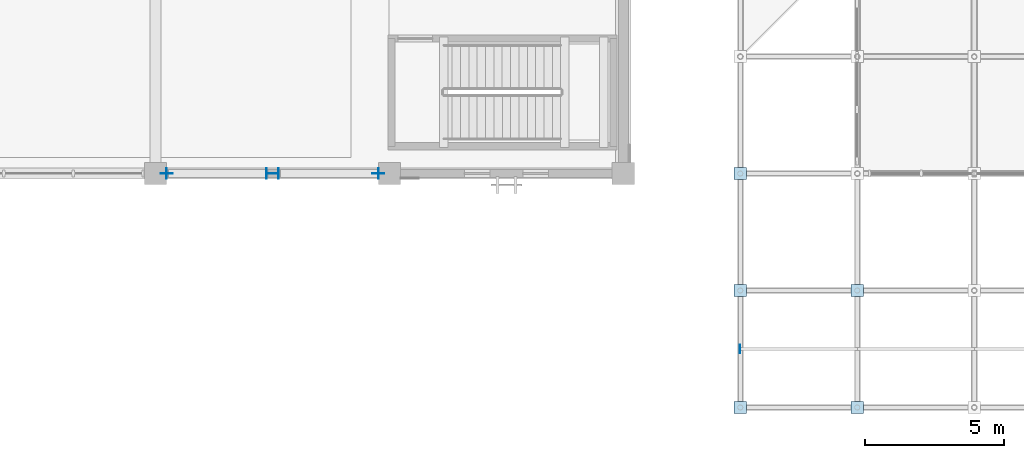
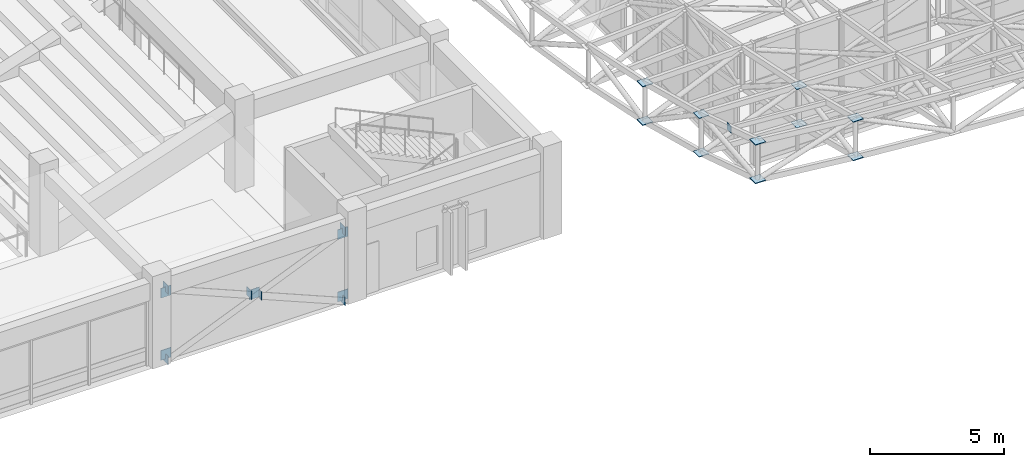
# One storey, part 72 of 132: 22 plates.
"""IFC4 building model written with IfcOpenShell, lengths in metres."""

import ifcopenshell
import ifcopenshell.guid

model = None  # the IFC model being written
_history = None  # IfcOwnerHistory: only IFC2X3 demands one
_inside = {}  # id of a spatial element -> (the spatial element, [elements in it])
_under = {}  # id of a project, library or spatial element -> (it, [spatial elements below it])
_declared = {}  # id of a project -> (the project, [libraries it declares])
_typed = {}  # id of a type object -> (the type object, [elements of that type])
_made_of = {}  # id of a material, layer set ... -> (it, [elements and type objects made of it])


def new_model(schema):
    """Start an empty IFC model of exactly this schema.

    Asked for "IFC4X3", IfcOpenShell would pick the latest addendum, in which some entities
    have other attributes; the version numbers below select the first issue.
    IFC2X3 requires an IfcOwnerHistory on every rooted entity: one is made here for all.
    """
    global model, _history
    if schema == "IFC4X3":
        model = ifcopenshell.file(schema_version=(4, 3, 0, 0))
    else:
        model = ifcopenshell.file(schema=schema)
    _inside.clear()
    _under.clear()
    _declared.clear()
    _typed.clear()
    _made_of.clear()
    _history = None
    if model.schema == "IFC2X3":
        org = make("IfcOrganization", Name="unknown")
        user = make(
            "IfcPersonAndOrganization",
            ThePerson=make("IfcPerson", FamilyName="unknown"),
            TheOrganization=org,
        )
        app = make(
            "IfcApplication",
            ApplicationDeveloper=org,
            Version="unknown",
            ApplicationFullName="unknown",
            ApplicationIdentifier="unknown",
        )
        _history = make(
            "IfcOwnerHistory",
            OwningUser=user,
            OwningApplication=app,
            ChangeAction="ADDED",
            CreationDate=0,
        )
    return model


def make(cls, **values):
    """One entity of the class cls with the attributes given. An attribute that is None is left unset."""
    return model.create_entity(
        cls, **{name: value for name, value in values.items() if value is not None}
    )


def rooted(cls, **values):
    """An entity with a GlobalId (a new one), such as an element, a storey or a relation."""
    return make(cls, GlobalId=ifcopenshell.guid.new(), OwnerHistory=_history, **values)


def si_unit(unit_type, name, prefix=None):
    """IfcSIUnit, for example si_unit("LENGTHUNIT", "METRE", prefix="MILLI")."""
    return make("IfcSIUnit", UnitType=unit_type, Prefix=prefix, Name=name)


def assignment(units):
    """IfcUnitAssignment: the units of a project."""
    return None if units is None else make("IfcUnitAssignment", Units=units)


def point(xyz):
    """IfcCartesianPoint."""
    return None if xyz is None else make("IfcCartesianPoint", Coordinates=xyz)


def direction(xyz):
    """IfcDirection."""
    return None if xyz is None else make("IfcDirection", DirectionRatios=xyz)


def frame(location, z_axis=None, x_axis=None):
    """IfcAxis2Placement3D, a coordinate frame: its origin and axes. An axis left out is left unset."""
    return make(
        "IfcAxis2Placement3D",
        Location=point(location),
        Axis=direction(z_axis),
        RefDirection=direction(x_axis),
    )


def frame_2d(location, x_axis=None):
    """IfcAxis2Placement2D, a coordinate frame in the plane: its origin and x axis."""
    return make(
        "IfcAxis2Placement2D", Location=point(location), RefDirection=direction(x_axis)
    )


def origin():
    """The frame at (0, 0, 0) with its axes left unset."""
    return frame((0.0, 0.0, 0.0))


def origin_2d():
    """The frame at (0, 0) in the plane with its x axis left unset."""
    return frame_2d((0.0, 0.0))


def place(relative_to, where):
    """IfcLocalPlacement: puts the frame where relative to a parent placement (None: the world)."""
    return make(
        "IfcLocalPlacement", PlacementRelTo=relative_to, RelativePlacement=where
    )


def context(
    kind, dimensions, precision=None, world=None, true_north=None, identifier=None
):
    """IfcGeometricRepresentationContext, for example the 3D "Model" context."""
    return make(
        "IfcGeometricRepresentationContext",
        ContextIdentifier=identifier,
        ContextType=kind,
        CoordinateSpaceDimension=dimensions,
        Precision=precision,
        WorldCoordinateSystem=world,
        TrueNorth=true_north,
    )


def subcontext(parent, identifier, kind, view, scale=None):
    """IfcGeometricRepresentationSubContext, for example "Body" below "Model"."""
    return make(
        "IfcGeometricRepresentationSubContext",
        ContextIdentifier=identifier,
        ContextType=kind,
        ParentContext=parent,
        TargetScale=scale,
        TargetView=view,
    )


def project(units=None, contexts=None):
    """IfcProject with its units and contexts."""
    return rooted(
        "IfcProject",
        Name="project",
        RepresentationContexts=contexts,
        UnitsInContext=assignment(units),
    )


def spatial(cls, under=None, at=None, **own):
    """A site, building, storey or space (cls), placed at a placement, below another one or the project."""
    s = rooted(cls, ObjectPlacement=at, **own)
    if under is not None:
        _under.setdefault(under.id(), (under, []))[1].append(s)
    return s


def profile(cls, at=None, kind="AREA", **sizes):
    """A parametric profile (cls). Its sizes go by their IFC names, for example OverallWidth=200.0."""
    return make(cls, ProfileType=kind, Position=at, **sizes)


def rectangle(**sizes):
    """IfcRectangleProfileDef."""
    return profile("IfcRectangleProfileDef", **sizes)


def extrude(swept, where, along, depth):
    """IfcExtrudedAreaSolid: the profile swept, set in the frame where, extruded along a direction by depth."""
    return make(
        "IfcExtrudedAreaSolid",
        SweptArea=swept,
        Position=where,
        ExtrudedDirection=direction(along),
        Depth=depth,
    )


def shape(context_of_items, identifier, shape_type, items):
    """IfcShapeRepresentation: the items that make up one representation, for example the "Body"."""
    return make(
        "IfcShapeRepresentation",
        ContextOfItems=context_of_items,
        RepresentationIdentifier=identifier,
        RepresentationType=shape_type,
        Items=items,
    )


def material(Name=None, Category=None):
    """IfcMaterial."""
    return make("IfcMaterial", Name=Name, Category=Category)


def layer(
    of_material, thickness, ventilated=None, Name=None, Category=None, Priority=None
):
    """IfcMaterialLayer: one layer of a wall or slab, of a material (None: an air gap)."""
    return make(
        "IfcMaterialLayer",
        Material=of_material,
        LayerThickness=thickness,
        IsVentilated=ventilated,
        Name=Name,
        Category=Category,
        Priority=Priority,
    )


def layer_set(layers, Name=None):
    """IfcMaterialLayerSet."""
    return make("IfcMaterialLayerSet", MaterialLayers=layers, LayerSetName=Name)


def made_of(thing, what):
    """Note that an element or type object is made of a material, layer set ...; save() writes the relation."""
    if what is not None:
        _made_of.setdefault(what.id(), (what, []))[1].append(thing)
    return thing


def type_object(cls, material=None, **own):
    """A type object (cls), such as IfcWallType, which elements share."""
    return made_of(rooted(cls, **own), material)


def element(
    cls,
    number,
    at=None,
    inside=None,
    cuts=None,
    type_object=None,
    material=None,
    context=None,
    identifier="Body",
    shape_type=None,
    held_by="IfcProductDefinitionShape",
    body=None,
    shapes=None,
    **own,
):
    """One element of the class cls, such as IfcWall. Its Tag is "e" and its number.

    at: its placement. inside: the storey or other place that contains it. cuts: it is an
    opening in that element (IfcRelVoidsElement). A single representation is given by context,
    identifier, shape_type and body (its items); several are given by shapes. held_by: the class
    of the entity that holds the representations. save() writes the other relations.
    """
    e = rooted(cls, Tag="e%d" % number, ObjectPlacement=at, **own)
    if body is not None:
        shapes = [shape(context, identifier, shape_type, body)]
    if shapes is not None:
        e.Representation = make(held_by, Representations=shapes)
    if inside is not None:
        _inside.setdefault(inside.id(), (inside, []))[1].append(e)
    if cuts is not None:
        rooted(
            "IfcRelVoidsElement", RelatingBuildingElement=cuts, RelatedOpeningElement=e
        )
    if type_object is not None:
        _typed.setdefault(type_object.id(), (type_object, []))[1].append(e)
    return made_of(e, material)


def aggregate(whole, parts):
    """IfcRelAggregates: a whole, such as a stair, and the parts it consists of."""
    return rooted("IfcRelAggregates", RelatingObject=whole, RelatedObjects=parts)


def save(model, path):
    """Write the relations noted so far, then the file.

    IfcRelAggregates (storeys below a building ...), IfcRelContainedInSpatialStructure (elements
    in a storey), IfcRelDefinesByType, IfcRelAssociatesMaterial and IfcRelDeclares: one each for
    every whole, place, type object, material and project.
    """
    for whole, parts in _under.values():
        aggregate(whole, parts)
    for where, things in _inside.values():
        rooted(
            "IfcRelContainedInSpatialStructure",
            RelatedElements=things,
            RelatingStructure=where,
        )
    for kind, things in _typed.values():
        rooted("IfcRelDefinesByType", RelatedObjects=things, RelatingType=kind)
    for what, things in _made_of.values():
        rooted("IfcRelAssociatesMaterial", RelatedObjects=things, RelatingMaterial=what)
    for by, libraries in _declared.values():
        rooted("IfcRelDeclares", RelatingContext=by, RelatedDefinitions=libraries)
    model.write(path)


model = new_model("IFC4")

# Units and contexts
model_context = context("Model", 3, precision=1e-05, world=origin(), true_north=direction((0.0, 1.0)))
body_context = subcontext(model_context, "Body", "Model", "MODEL_VIEW")
ifc_project = project(units=[si_unit("LENGTHUNIT", "METRE"), si_unit("AREAUNIT", "SQUARE_METRE"), si_unit("VOLUMEUNIT", "CUBIC_METRE"), si_unit("PLANEANGLEUNIT", "RADIAN"), si_unit("MASSUNIT", "GRAM", prefix="KILO")], contexts=[model_context])

# Site, building, storey
site_placement = place(None, origin())
site = spatial("IfcSite", under=ifc_project, at=site_placement, CompositionType="ELEMENT")
building_placement = place(site_placement, origin())
building = spatial("IfcBuilding", under=site, at=building_placement, Name="Cumbredor Promenade Congress Hotel", CompositionType="ELEMENT")
storey_placement = place(building_placement, frame((0.0, 0.0, 7.56005859375)))
storey = spatial("IfcBuildingStorey", under=building, at=storey_placement, Name="L02", CompositionType="ELEMENT", Elevation=7.56005859375)

# Plates
ifc_material = material(Name="Steel ASTM A572 Grade 50", Category="steel")
ifc_layer_1 = layer(ifc_material, 0.02001953125, Name="Steel ASTM A572 Grade 50", Category="steel")
ifc_layer_set_1 = layer_set([ifc_layer_1], Name="Steel ASTM A572 Grade 50")
plate_type_1 = type_object("IfcPlateType", Name="Hollow Section End Cap Plate CP-04", PredefinedType="USERDEFINED", material=ifc_layer_set_1)
for number, where, z_axis, x_axis, name in (
    (1, (50.792724609375, 8.39990234375, -0.193115234375), (0.0, 0.0, 1.0), (1.0, 0.0, 0.0), "L02 X-Brace Continuous Diagonal 18A Start Cap Plate"),
    (2, (58.407470703125, 8.39990234375, 3.003173828125), (0.0, 0.0, 1.0), (1.0, 0.0, 0.0), "L02 X-Brace Continuous Diagonal 18A End Cap Plate"),
    (3, (58.407470703125, 8.39990234375, -0.193115234375), (0.0, 0.0, 1.0), (-1.0, 0.0, 0.0), "L02 X-Brace Lower Split Diagonal 18B1 Start Cap Plate"),
    (4, (54.81396484375, 8.39990234375, 1.315185546875), (0.0, 0.0, 1.0), (-1.0, 0.0, 0.0), "L02 X-Brace Lower Split Diagonal 18B1 End Cap Plate"),
    (5, (54.385986328125, 8.39990234375, 1.494873046875), (0.0, 0.0, 1.0), (-1.0, 0.0, 0.0), "L02 X-Brace Upper Split Diagonal 18B2 Start Cap Plate"),
    (6, (50.792724609375, 8.39990234375, 3.003173828125), (0.0, 0.0, 1.0), (-1.0, 0.0, 0.0), "L02 X-Brace Upper Split Diagonal 18B2 End Cap Plate"),
):
    element("IfcPlate", number, at=place(storey_placement, frame(where, z_axis=z_axis, x_axis=x_axis)), inside=storey, type_object=plate_type_1, Name=name, ObjectType="CAP PLATE", PredefinedType="USERDEFINED", context=body_context, shape_type="SweptSolid", body=[
        extrude(rectangle(XDim=0.02001953125, YDim=0.3798828125, at=origin_2d()), origin(), (0.0, 0.0, 1.0), 0.3798828125),
    ])
ifc_layer_2 = layer(ifc_material, 0.02001953125, Name="Steel ASTM A572 Grade 50", Category="steel")
ifc_layer_set_2 = layer_set([ifc_layer_2], Name="Steel ASTM A572 Grade 50")
plate_type_2 = type_object("IfcPlateType", Name="Hollow Section End Cap Plate CP-05", PredefinedType="USERDEFINED", material=ifc_layer_set_2)
plate_placement = place(storey_placement, frame((71.39208984375, 2.10009765625, 6.90283203125), z_axis=(0.0, 0.0, 1.0), x_axis=(1.0, 0.0, 0.0)))
element("IfcPlate", 7, at=plate_placement, inside=storey, type_object=plate_type_2, Name="Thermal Spa and Hydrotherapy Pavilion Roof Eave Purlin 1.1 Start Cap Plate", ObjectType="CAP PLATE", PredefinedType="USERDEFINED", context=body_context, shape_type="SweptSolid", body=[
    extrude(rectangle(XDim=0.02001953125, YDim=0.320068359375, at=origin_2d()), origin(), (0.0, 0.0, 1.0), 0.320068359375),
])
ifc_layer_3 = layer(ifc_material, 0.028076171875, Name="Steel ASTM A572 Grade 50", Category="steel")
ifc_layer_set_3 = layer_set([ifc_layer_3], Name="Steel ASTM A572 Grade 50")
plate_type_3 = type_object("IfcPlateType", Name="Space Frame Node Assembly ND-03", PredefinedType="USERDEFINED", material=ifc_layer_set_3)
for number, where, z_axis, x_axis, name in (
    (8, (50.800048828125, 8.39990234375, -0.0400390625), (0.0, 0.0, 1.0), (1.0, 0.0, 0.0), "L02 Seismic Frame Gusset Plate 18-BL"),
    (9, (58.39990234375, 8.39990234375, -0.0400390625), (0.0, 0.0, 1.0), (1.0, 0.0, 0.0), "L02 Seismic Frame Gusset Plate 18-BR"),
    (10, (50.800048828125, 8.39990234375, 2.7900390625), (0.0, 0.0, 1.0), (1.0, 0.0, 0.0), "L02 Seismic Frame Gusset Plate 18-TL"),
    (11, (58.39990234375, 8.39990234375, 2.7900390625), (0.0, 0.0, 1.0), (1.0, 0.0, 0.0), "L02 Seismic Frame Gusset Plate 18-TR"),
    (12, (54.60009765625, 8.39990234375, 1.375), (0.0, 0.0, 1.0), (1.0, 0.0, 0.0), "L02 X-Brace Central Crossing Gusset Plate 18"),
):
    element("IfcPlate", number, at=place(storey_placement, frame(where, z_axis=z_axis, x_axis=x_axis)), inside=storey, type_object=plate_type_3, Name=name, ObjectType="GUSSET PLATE", PredefinedType="USERDEFINED", context=body_context, shape_type="SweptSolid", body=[
        extrude(rectangle(XDim=0.43994140625, YDim=0.028076171875, at=origin_2d()), origin(), (0.0, 0.0, 1.0), 0.43994140625),
    ])
for number, where, z_axis, x_axis, name in (
    (13, (71.39990234375, 0.0, 7.73583984375), (0.0, 0.0, 1.0), (1.0, 0.0, 0.0), "Thermal Spa and Hydrotherapy Pavilion Space Frame Top Node 1.1"),
    (14, (71.39990234375, 0.0, 5.98583984375), (0.0, 0.0, 1.0), (1.0, 0.0, 0.0), "Thermal Spa and Hydrotherapy Pavilion Space Frame Bottom Node 1.1"),
    (15, (71.39990234375, 4.199951171875, 6.40087890625), (0.0, 0.0, 1.0), (1.0, 0.0, 0.0), "Thermal Spa and Hydrotherapy Pavilion Space Frame Top Node 1.2"),
    (16, (71.39990234375, 4.199951171875, 4.65087890625), (0.0, 0.0, 1.0), (1.0, 0.0, 0.0), "Thermal Spa and Hydrotherapy Pavilion Space Frame Bottom Node 1.2"),
    (17, (71.39990234375, 8.39990234375, 5.2919921875), (0.0, 0.0, 1.0), (1.0, 0.0, 0.0), "Thermal Spa and Hydrotherapy Pavilion Space Frame Top Node 1.3"),
    (18, (71.39990234375, 8.39990234375, 3.5419921875), (0.0, 0.0, 1.0), (1.0, 0.0, 0.0), "Thermal Spa and Hydrotherapy Pavilion Space Frame Bottom Node 1.3"),
    (19, (75.60009765625, 0.0, 7.30712890625), (0.0, 0.0, 1.0), (1.0, 0.0, 0.0), "Thermal Spa and Hydrotherapy Pavilion Space Frame Top Node 2.1"),
    (20, (75.60009765625, 0.0, 5.55712890625), (0.0, 0.0, 1.0), (1.0, 0.0, 0.0), "Thermal Spa and Hydrotherapy Pavilion Space Frame Bottom Node 2.1"),
    (21, (75.60009765625, 4.199951171875, 6.2451171875), (0.0, 0.0, 1.0), (1.0, 0.0, 0.0), "Thermal Spa and Hydrotherapy Pavilion Space Frame Top Node 2.2"),
    (22, (75.60009765625, 4.199951171875, 4.4951171875), (0.0, 0.0, 1.0), (1.0, 0.0, 0.0), "Thermal Spa and Hydrotherapy Pavilion Space Frame Bottom Node 2.2"),
):
    element("IfcPlate", number, at=place(storey_placement, frame(where, z_axis=z_axis, x_axis=x_axis)), inside=storey, type_object=plate_type_3, Name=name, ObjectType="GUSSET PLATE", PredefinedType="USERDEFINED", context=body_context, shape_type="SweptSolid", body=[
        extrude(rectangle(XDim=0.43994140625, YDim=0.43994140625, at=origin_2d()), origin(), (0.0, 0.0, 1.0), 0.028076171875),
    ])

save(model, "model.ifc")
